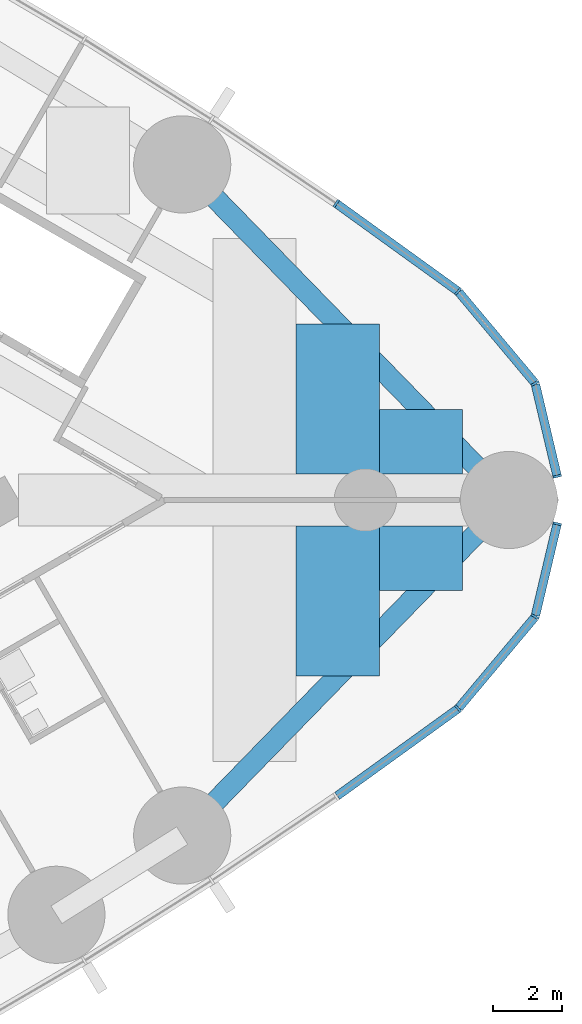
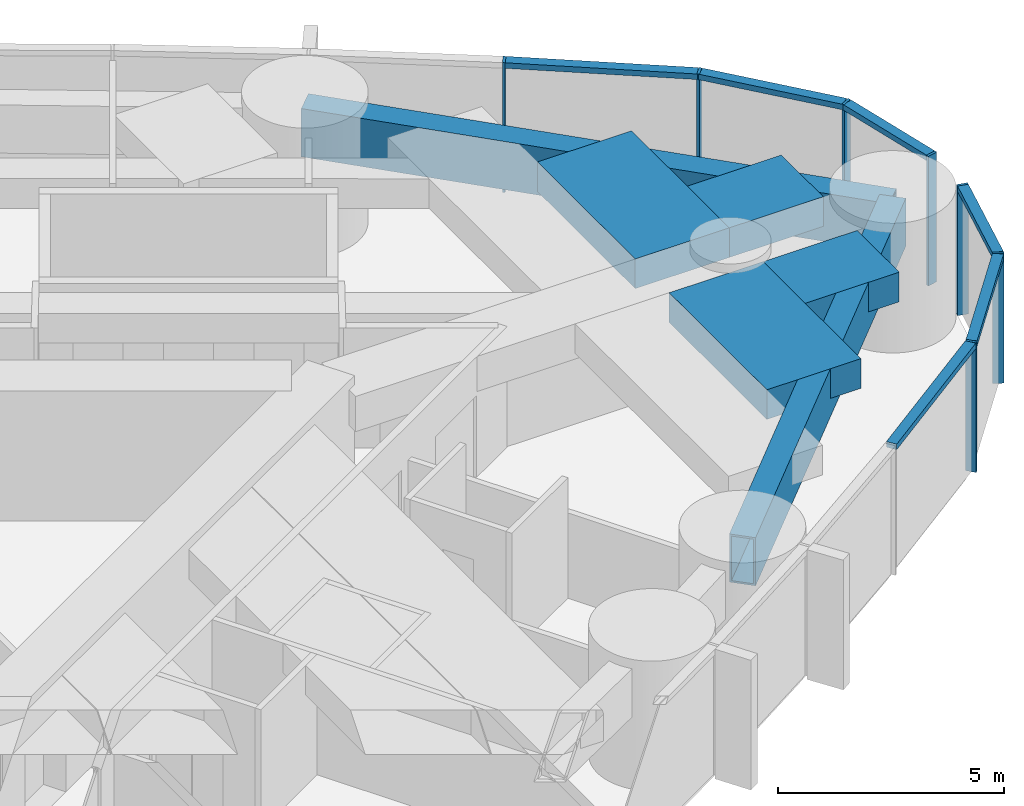
# One storey, part 9 of 19: 13 members, 6 beams, 2 elements without a shape of their own.
"""IFC4 building model written with IfcOpenShell, lengths in metres."""

from ifc_helpers import new_model, si_unit, direction, frame, origin, origin_2d, place, context, subcontext, project, spatial, rectangle, hollow_rectangle, extrude, material, material_profile, profile_set, type_object, element, aggregate, save


model = new_model("IFC4")

# Units and contexts
model_context = context("Model", 3, precision=1e-05, world=origin(), true_north=direction((0.0, 1.0)))
body_context = subcontext(model_context, "Body", "Model", "MODEL_VIEW")
ifc_project = project(units=[si_unit("LENGTHUNIT", "METRE"), si_unit("AREAUNIT", "SQUARE_METRE"), si_unit("VOLUMEUNIT", "CUBIC_METRE"), si_unit("PLANEANGLEUNIT", "RADIAN"), si_unit("MASSUNIT", "GRAM", prefix="KILO")], contexts=[model_context])

# Site, building, storey
site_placement = place(None, origin())
site = spatial("IfcSite", under=ifc_project, at=site_placement, CompositionType="ELEMENT")
building_placement = place(site_placement, origin())
building = spatial("IfcBuilding", under=site, at=building_placement, Name="Lancet Gate Hotel", CompositionType="ELEMENT")
storey_placement = place(building_placement, frame((0.0, 0.0, 198.300048828125)))
storey = spatial("IfcBuildingStorey", under=building, at=storey_placement, Name="L53", CompositionType="ELEMENT", Elevation=198.300048828125)

# Curtain wall, members
ifc_material_1 = material(Name="Aluminium curtain wall", Category="aluminium")
curtain_wall_type = type_object("IfcCurtainWallType", Name="Tower unitised curtain wall", PredefinedType="USERDEFINED", material=ifc_material_1)
curtain_wall_1_placement = place(storey_placement, origin())
curtain_wall_1 = element("IfcCurtainWall", 1, at=curtain_wall_1_placement, inside=storey, type_object=curtain_wall_type, Name="T2 L53 curtain wall 2", ObjectType="UNITISED CURTAIN WALL", PredefinedType="USERDEFINED")
ifc_material_2 = material(Name="Aluminium mullion", Category="aluminium")
ifc_material_profile_1 = material_profile(ifc_material_2, rectangle(XDim=0.06494140625, YDim=0.25, at=origin_2d()), Name="MULLION 65x250")
ifc_profile_set_1 = profile_set([ifc_material_profile_1], Name="Aluminium mullion")
member_type_1 = type_object("IfcMemberType", Name="Aluminium mullion 65x250", PredefinedType="MULLION", material=ifc_profile_set_1)
member_1_placement = place(storey_placement, frame((64.174560546875, -6.01123046875, 0.0), z_axis=(0.0, 0.0, 1.0), x_axis=(0.741693452951, 0.670739011725, 0.0)))
member_1 = element("IfcMember", 2, at=member_1_placement, type_object=member_type_1, Name="T2 L53 curtain wall 2 mullion 10", PredefinedType="MULLION", context=body_context, shape_type="SweptSolid", body=[
    extrude(rectangle(XDim=0.06494140625, YDim=0.25, at=origin_2d()), origin(), (0.0, 0.0, 1.0), 3.5),
])
member_2_placement = place(storey_placement, frame((66.3935546875, -3.362548828125, 0.0), z_axis=(0.0, 0.0, 1.0), x_axis=(0.472146326362, 0.881520190638, 0.0)))
member_2 = element("IfcMember", 3, at=member_2_placement, type_object=member_type_1, Name="T2 L53 curtain wall 2 mullion 11", PredefinedType="MULLION", context=body_context, shape_type="SweptSolid", body=[
    extrude(rectangle(XDim=0.06494140625, YDim=0.25, at=origin_2d()), origin(), (0.0, 0.0, 1.0), 3.5),
])
member_3_placement = place(storey_placement, frame((67.027587890625, -0.684326171875, 0.0), z_axis=(0.0, 0.0, 1.0), x_axis=(0.230366568544, 0.973103922558, 0.0)))
member_3 = element("IfcMember", 4, at=member_3_placement, type_object=member_type_1, Name="T2 L53 curtain wall 2 mullion 12", PredefinedType="MULLION", context=body_context, shape_type="SweptSolid", body=[
    extrude(rectangle(XDim=0.06494140625, YDim=0.25, at=origin_2d()), origin(), (0.0, 0.0, 1.0), 3.5),
])

curtain_wall_2_placement = place(storey_placement, origin())
curtain_wall_2 = element("IfcCurtainWall", 5, at=curtain_wall_2_placement, inside=storey, type_object=curtain_wall_type, Name="T2 L53 curtain wall 3", ObjectType="UNITISED CURTAIN WALL", PredefinedType="USERDEFINED")
member_4_placement = place(storey_placement, frame((67.027587890625, 0.684326171875, 0.0), z_axis=(0.0, 0.0, 1.0), x_axis=(-0.230366568544, 0.973103922558, 0.0)))
member_4 = element("IfcMember", 6, at=member_4_placement, type_object=member_type_1, Name="T2 L53 curtain wall 3 mullion 1", PredefinedType="MULLION", context=body_context, shape_type="SweptSolid", body=[
    extrude(rectangle(XDim=0.06494140625, YDim=0.25, at=origin_2d()), origin(), (0.0, 0.0, 1.0), 3.5),
])
member_5_placement = place(storey_placement, frame((66.3935546875, 3.362548828125, 0.0), z_axis=(0.0, 0.0, 1.0), x_axis=(-0.472146326362, 0.881520190638, 0.0)))
member_5 = element("IfcMember", 7, at=member_5_placement, type_object=member_type_1, Name="T2 L53 curtain wall 3 mullion 2", PredefinedType="MULLION", context=body_context, shape_type="SweptSolid", body=[
    extrude(rectangle(XDim=0.06494140625, YDim=0.25, at=origin_2d()), origin(), (0.0, 0.0, 1.0), 3.5),
])
member_6_placement = place(storey_placement, frame((64.174560546875, 6.01123046875, 0.0), z_axis=(0.0, 0.0, 1.0), x_axis=(-0.741693452951, 0.670739011725, 0.0)))
member_6 = element("IfcMember", 8, at=member_6_placement, type_object=member_type_1, Name="T2 L53 curtain wall 3 mullion 3", PredefinedType="MULLION", context=body_context, shape_type="SweptSolid", body=[
    extrude(rectangle(XDim=0.06494140625, YDim=0.25, at=origin_2d()), origin(), (0.0, 0.0, 1.0), 3.5),
])
member_7_placement = place(storey_placement, frame((60.66015625, 8.547607421875, 0.0), z_axis=(0.0, 0.0, 1.0), x_axis=(-0.820068208435, 0.572265789222, 0.0)))
member_7 = element("IfcMember", 9, at=member_7_placement, type_object=member_type_1, Name="T2 L53 curtain wall 3 mullion 4", PredefinedType="MULLION", context=body_context, shape_type="SweptSolid", body=[
    extrude(rectangle(XDim=0.06494140625, YDim=0.25, at=origin_2d()), origin(), (0.0, 0.0, 1.0), 3.5),
])

# Member
ifc_material_3 = material(Name="Aluminium transom", Category="aluminium")
ifc_material_profile_2 = material_profile(ifc_material_3, rectangle(XDim=0.25, YDim=0.14990234375, at=origin_2d()), Name="TRANSOM 250x150")
ifc_profile_set_2 = profile_set([ifc_material_profile_2], Name="Aluminium transom")
member_type_2 = type_object("IfcMemberType", Name="Aluminium transom 250x150", PredefinedType="USERDEFINED", material=ifc_profile_set_2)
member_8_placement = place(storey_placement, frame((60.6865234375, -8.528564453125, 3.425048828125), z_axis=(0.810879747578, 0.585212811691, 0.0), x_axis=(-0.585212811691, 0.810879747578, 0.0)))
member_8 = element("IfcMember", 10, at=member_8_placement, type_object=member_type_2, Name="T2 L53 curtain wall 2 transom 9", ObjectType="TRANSOM", PredefinedType="USERDEFINED", context=body_context, shape_type="SweptSolid", body=[
    extrude(rectangle(XDim=0.25, YDim=0.14990234375, at=origin_2d()), origin(), (0.0, 0.0, 1.0), 4.26904296875),
])

member_9_placement = place(storey_placement, frame((64.1953125, -5.986328125, 3.425048828125), z_axis=(0.642229010215, 0.766512816878, 0.0), x_axis=(-0.766512816878, 0.642229010215, 0.0)))
member_9 = element("IfcMember", 11, at=member_9_placement, type_object=member_type_2, Name="T2 L53 curtain wall 2 transom 10", ObjectType="TRANSOM", PredefinedType="USERDEFINED", context=body_context, shape_type="SweptSolid", body=[
    extrude(rectangle(XDim=0.25, YDim=0.14990234375, at=origin_2d()), origin(), (0.0, 0.0, 1.0), 3.390625),
])

member_10_placement = place(storey_placement, frame((66.401123046875, -3.3310546875, 3.425048828125), z_axis=(0.230310174804, 0.973117271135, 0.0), x_axis=(-0.973117271135, 0.230310174804, 0.0)))
member_10 = element("IfcMember", 12, at=member_10_placement, type_object=member_type_2, Name="T2 L53 curtain wall 2 transom 11", ObjectType="TRANSOM", PredefinedType="USERDEFINED", context=body_context, shape_type="SweptSolid", body=[
    extrude(rectangle(XDim=0.25, YDim=0.14990234375, at=origin_2d()), origin(), (0.0, 0.0, 1.0), 2.687255859375),
])

aggregate(curtain_wall_1, [member_1, member_2, member_3, member_8, member_9, member_10])

member_11_placement = place(storey_placement, frame((67.02001953125, 0.716064453125, 3.425048828125), z_axis=(-0.230310174804, 0.973117271135, 0.0), x_axis=(-0.973117271135, -0.230310174804, 0.0)))
member_11 = element("IfcMember", 13, at=member_11_placement, type_object=member_type_2, Name="T2 L53 curtain wall 3 transom 1", ObjectType="TRANSOM", PredefinedType="USERDEFINED", context=body_context, shape_type="SweptSolid", body=[
    extrude(rectangle(XDim=0.25, YDim=0.14990234375, at=origin_2d()), origin(), (0.0, 0.0, 1.0), 2.687255859375),
])

member_12_placement = place(storey_placement, frame((66.372802734375, 3.387451171875, 3.425048828125), z_axis=(-0.642229010215, 0.766512816878, 0.0), x_axis=(-0.766512816878, -0.642229010215, 0.0)))
member_12 = element("IfcMember", 14, at=member_12_placement, type_object=member_type_2, Name="T2 L53 curtain wall 3 transom 2", ObjectType="TRANSOM", PredefinedType="USERDEFINED", context=body_context, shape_type="SweptSolid", body=[
    extrude(rectangle(XDim=0.25, YDim=0.14990234375, at=origin_2d()), origin(), (0.0, 0.0, 1.0), 3.390625),
])

member_13_placement = place(storey_placement, frame((64.148193359375, 6.0302734375, 3.425048828125), z_axis=(-0.810879747578, 0.585212811691, 0.0), x_axis=(-0.585212811691, -0.810879747578, 0.0)))
member_13 = element("IfcMember", 15, at=member_13_placement, type_object=member_type_2, Name="T2 L53 curtain wall 3 transom 3", ObjectType="TRANSOM", PredefinedType="USERDEFINED", context=body_context, shape_type="SweptSolid", body=[
    extrude(rectangle(XDim=0.25, YDim=0.14990234375, at=origin_2d()), origin(), (0.0, 0.0, 1.0), 4.26904296875),
])

aggregate(curtain_wall_2, [member_4, member_5, member_6, member_7, member_11, member_12, member_13])

# Beams
ifc_material_4 = material(Name="Steel S460QL", Category="steel")
ifc_material_profile_3 = material_profile(ifc_material_4, hollow_rectangle(XDim=0.60009765625, YDim=1.300048828125, WallThickness=0.050048828125, at=origin_2d()), Name="BOX 1300x600x50")
ifc_profile_set_3 = profile_set([ifc_material_profile_3], Name="Steel S460QL")
beam_type_1 = type_object("IfcBeamType", Name="Edge beam BOX 1300x600x50", PredefinedType="SPANDREL", material=ifc_profile_set_3)
for number, where, z_axis, x_axis, name in (
    (16, (56.220947265625, -9.67236328125, 2.599853515625), (0.697649905443, 0.716438838587, 0.0), (-0.716438838587, 0.697649905443, 0.0), "T2 edge beam EB2 L53"),
    (17, (65.6396484375, 0.0, 2.599853515625), (-0.697649905443, 0.716438838587, 0.0), (-0.716438838587, -0.697649905443, 0.0), "T2 edge beam EB2 L53"),
):
    element("IfcBeam", number, at=place(storey_placement, frame(where, z_axis=z_axis, x_axis=x_axis)), inside=storey, type_object=beam_type_1, Name=name, PredefinedType="SPANDREL", context=body_context, shape_type="SweptSolid", body=[
        extrude(hollow_rectangle(XDim=0.60009765625, YDim=1.300048828125, WallThickness=0.050048828125, at=origin_2d()), origin(), (0.0, 0.0, 1.0), 13.500732421875),
    ])
ifc_material_5 = material(Name="Concrete C50/60", Category="concrete")
ifc_material_profile_4 = material_profile(ifc_material_5, rectangle(XDim=2.39990234375, YDim=0.800048828125, at=origin_2d()), Name="RC 2400x800")
ifc_profile_set_4 = profile_set([ifc_material_profile_4], Name="Concrete C50/60")
beam_type_2 = type_object("IfcBeamType", Name="Floor beam RC 2400x800", PredefinedType="BEAM", material=ifc_profile_set_4)
for number, where, z_axis, x_axis, name in (
    (18, (60.7021484375, -5.0703125, 2.849853515625), (0.0, 1.0, 0.0), (-1.0, 0.0, 0.0), "T2 floor beam F14S L53"),
    (19, (60.7021484375, 0.75, 2.849853515625), (0.0, 1.0, 0.0), (-1.0, 0.0, 0.0), "T2 floor beam F15N L53"),
):
    element("IfcBeam", number, at=place(storey_placement, frame(where, z_axis=z_axis, x_axis=x_axis)), inside=storey, type_object=beam_type_2, Name=name, PredefinedType="BEAM", context=body_context, shape_type="SweptSolid", body=[
        extrude(rectangle(XDim=2.39990234375, YDim=0.800048828125, at=origin_2d()), origin(), (0.0, 0.0, 1.0), 4.3203125),
    ])
for number, where, z_axis, x_axis, name in (
    (20, (63.102294921875, -2.605712890625, 2.849853515625), (0.0, 1.0, 0.0), (-1.0, 0.0, 0.0), "T2 floor beam F16S L53"),
    (21, (63.102294921875, 0.75, 2.849853515625), (0.0, 1.0, 0.0), (-1.0, 0.0, 0.0), "T2 floor beam F17N L53"),
):
    element("IfcBeam", number, at=place(storey_placement, frame(where, z_axis=z_axis, x_axis=x_axis)), inside=storey, type_object=beam_type_2, Name=name, PredefinedType="BEAM", context=body_context, shape_type="SweptSolid", body=[
        extrude(rectangle(XDim=2.39990234375, YDim=0.800048828125, at=origin_2d()), origin(), (0.0, 0.0, 1.0), 1.855712890625),
    ])

save(model, "model.ifc")
